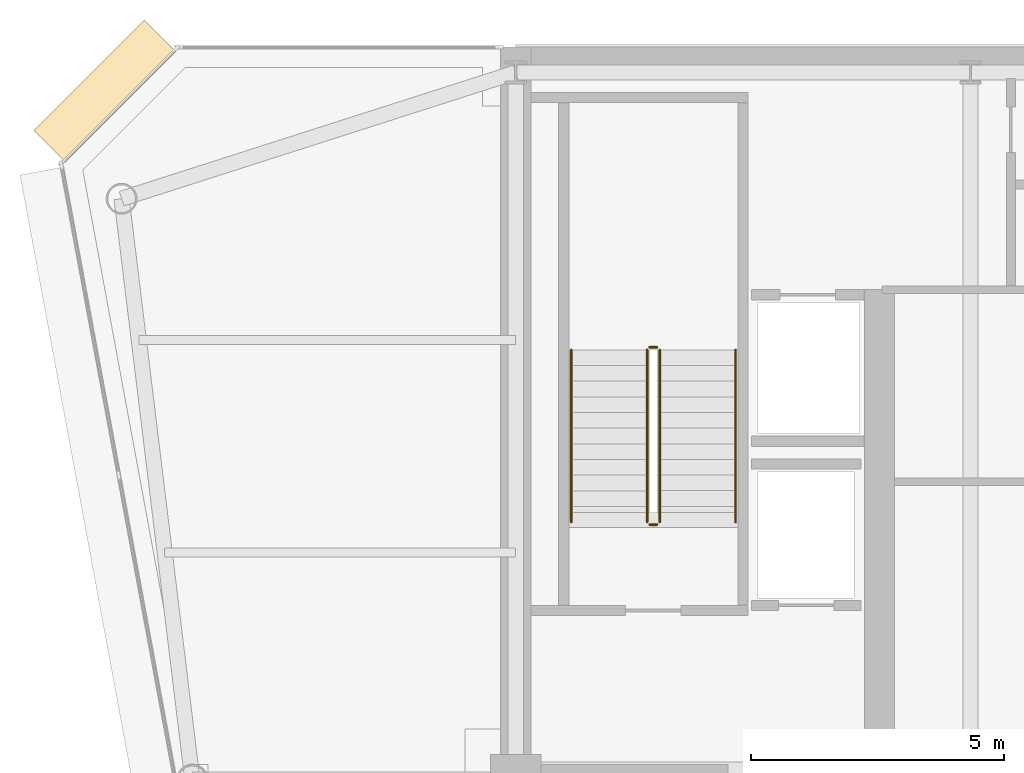
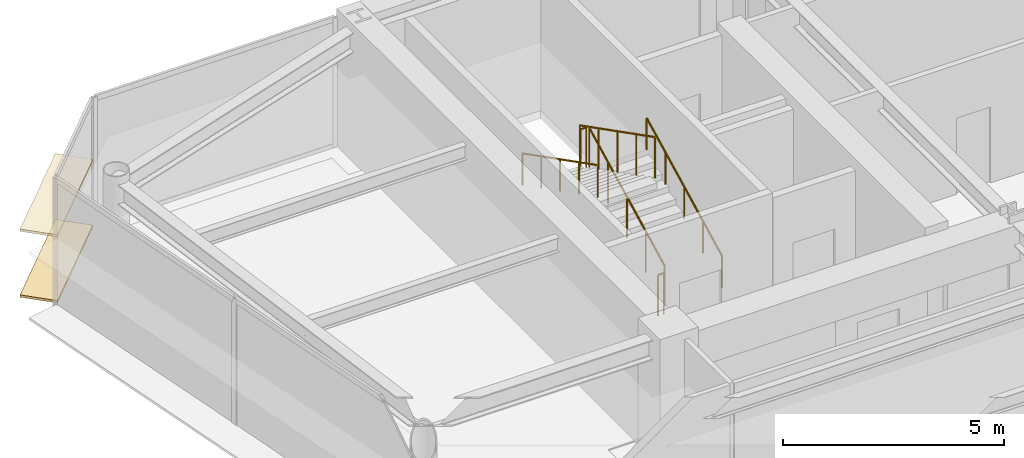
# One storey, part 15 of 17: 6 railings, 2 coverings.
"""IFC4 building model written with IfcOpenShell, lengths in metres."""

from ifc_helpers import new_model, si_unit, direction, frame, origin, origin_2d, place, context, subcontext, project, spatial, rectangle, circle, extrude, source, transform, mapped, material, layer, layer_set, type_object, element, save


model = new_model("IFC4")

# Units and contexts
model_context = context("Model", 3, precision=1e-05, world=origin(), true_north=direction((0.0, 1.0)))
body_context = subcontext(model_context, "Body", "Model", "MODEL_VIEW")
ifc_project = project(units=[si_unit("LENGTHUNIT", "METRE"), si_unit("AREAUNIT", "SQUARE_METRE"), si_unit("VOLUMEUNIT", "CUBIC_METRE"), si_unit("PLANEANGLEUNIT", "RADIAN"), si_unit("MASSUNIT", "GRAM", prefix="KILO")], contexts=[model_context])

# Site, building, storey
site_placement = place(None, origin())
site = spatial("IfcSite", under=ifc_project, at=site_placement, CompositionType="ELEMENT")
building_placement = place(site_placement, origin())
building = spatial("IfcBuilding", under=site, at=building_placement, Name="Vaeldorn Concourse Tower", CompositionType="ELEMENT")
storey_placement = place(building_placement, frame((0.0, 0.0, 230.800048828125)))
storey = spatial("IfcBuildingStorey", under=building, at=storey_placement, Name="L59", CompositionType="ELEMENT", Elevation=230.800048828125)

# Railings
ifc_material = material(Name="Anodised Bronze Aluminium", Category="aluminium")
railing_type_1 = type_object("IfcRailingType", Name="RL-STAIR-GUARD", PredefinedType="GUARDRAIL", material=ifc_material)
railing_1_placement = place(storey_placement, frame((16.85009765625, 41.60009765625, 0.158203125)))
element("IfcRailing", 1, at=railing_1_placement, inside=storey, type_object=railing_type_1, Name="L59 ST-1 stair guard 1", PredefinedType="GUARDRAIL", context=body_context, shape_type="SweptSolid", body=[
    extrude(circle(Radius=0.02392578125, at=origin_2d()), frame((0.0, 0.0, 1.1259765625), z_axis=(0.0, 0.890555807335, 0.454873997962), x_axis=(-1.0, 0.0, 0.0)), (0.0, 0.0, 1.0), 3.828857421875),
    extrude(circle(Radius=0.02099609375, at=origin_2d()), origin(), (0.0, 0.0, 1.0), 1.101806640625),
    extrude(circle(Radius=0.02099609375, at=origin_2d()), frame((0.0, 0.8525390625, 0.435546875)), (0.0, 0.0, 1.0), 1.101806640625),
    extrude(circle(Radius=0.02099609375, at=origin_2d()), frame((0.0, 1.705078125, 0.870849609375)), (0.0, 0.0, 1.0), 1.101806640625),
    extrude(circle(Radius=0.02099609375, at=origin_2d()), frame((0.0, 2.557373046875, 1.30615234375)), (0.0, 0.0, 1.0), 1.101806640625),
    extrude(circle(Radius=0.02099609375, at=origin_2d()), frame((0.0, 3.409912109375, 1.74169921875)), (0.0, 0.0, 1.0), 1.101806640625),
])
railing_2_placement = place(storey_placement, frame((16.800048828125, 45.06005859375, 1.89990234375)))
element("IfcRailing", 2, at=railing_2_placement, inside=storey, type_object=railing_type_1, Name="L59 ST-1 stair guard 2", PredefinedType="GUARDRAIL", context=body_context, shape_type="SweptSolid", body=[
    extrude(circle(Radius=0.02392578125, at=origin_2d()), frame((0.0, 0.0, 1.1259765625), z_axis=(-1.0, 0.0, 0.0), x_axis=(0.0, -1.0, 0.0)), (0.0, 0.0, 1.0), 0.150146484375),
    extrude(circle(Radius=0.02099609375, at=origin_2d()), origin(), (0.0, 0.0, 1.0), 1.101806640625),
    extrude(circle(Radius=0.02099609375, at=origin_2d()), frame((-0.150146484375, 0.0, 0.0)), (0.0, 0.0, 1.0), 1.101806640625),
])
railing_3_placement = place(storey_placement, frame((16.60009765625, 45.010009765625, 2.058349609375)))
element("IfcRailing", 3, at=railing_3_placement, inside=storey, type_object=railing_type_1, Name="L59 ST-1 stair guard 3", PredefinedType="GUARDRAIL", context=body_context, shape_type="SweptSolid", body=[
    extrude(circle(Radius=0.02392578125, at=origin_2d()), frame((0.0, 0.0, 1.1259765625), z_axis=(0.0, -0.890555807335, 0.454873997962), x_axis=(1.0, 0.0, 0.0)), (0.0, 0.0, 1.0), 3.828857421875),
    extrude(circle(Radius=0.02099609375, at=origin_2d()), origin(), (0.0, 0.0, 1.0), 1.101806640625),
    extrude(circle(Radius=0.02099609375, at=origin_2d()), frame((0.0, -0.8525390625, 0.435546875)), (0.0, 0.0, 1.0), 1.101806640625),
    extrude(circle(Radius=0.02099609375, at=origin_2d()), frame((0.0, -1.705078125, 0.870849609375)), (0.0, 0.0, 1.0), 1.101806640625),
    extrude(circle(Radius=0.02099609375, at=origin_2d()), frame((0.0, -2.557373046875, 1.30615234375)), (0.0, 0.0, 1.0), 1.101806640625),
    extrude(circle(Radius=0.02099609375, at=origin_2d()), frame((0.0, -3.409912109375, 1.74169921875)), (0.0, 0.0, 1.0), 1.101806640625),
])
railing_4_placement = place(storey_placement, frame((16.800048828125, 41.550048828125, 0.0)))
element("IfcRailing", 4, at=railing_4_placement, inside=storey, type_object=railing_type_1, Name="L59 ST-1 stair guard 4", PredefinedType="GUARDRAIL", context=body_context, shape_type="SweptSolid", body=[
    extrude(circle(Radius=0.02392578125, at=origin_2d()), frame((0.0, 0.0, 1.1259765625), z_axis=(-1.0, 0.0, 0.0), x_axis=(0.0, -1.0, 0.0)), (0.0, 0.0, 1.0), 0.150146484375),
    extrude(circle(Radius=0.02099609375, at=origin_2d()), origin(), (0.0, 0.0, 1.0), 1.101806640625),
    extrude(circle(Radius=0.02099609375, at=origin_2d()), frame((-0.150146484375, 0.0, 0.0)), (0.0, 0.0, 1.0), 1.101806640625),
])
railing_type_2 = type_object("IfcRailingType", Name="RL-STAIR-HANDRAIL", PredefinedType="HANDRAIL", material=ifc_material)
railing_5_placement = place(storey_placement, frame((18.35009765625, 41.60009765625, 0.158203125)))
element("IfcRailing", 5, at=railing_5_placement, inside=storey, type_object=railing_type_2, Name="L59 ST-1 stair handrail 1", PredefinedType="HANDRAIL", context=body_context, shape_type="SweptSolid", body=[
    extrude(circle(Radius=0.02392578125, at=origin_2d()), frame((0.0, 0.0, 0.8759765625), z_axis=(0.0, 0.890555807335, 0.454873997962), x_axis=(-1.0, 0.0, 0.0)), (0.0, 0.0, 1.0), 3.828857421875),
    extrude(circle(Radius=0.02099609375, at=origin_2d()), origin(), (0.0, 0.0, 1.0), 0.851806640625),
    extrude(circle(Radius=0.02099609375, at=origin_2d()), frame((0.0, 0.8525390625, 0.435546875)), (0.0, 0.0, 1.0), 0.851806640625),
    extrude(circle(Radius=0.02099609375, at=origin_2d()), frame((0.0, 1.705078125, 0.870849609375)), (0.0, 0.0, 1.0), 0.851806640625),
    extrude(circle(Radius=0.02099609375, at=origin_2d()), frame((0.0, 2.557373046875, 1.30615234375)), (0.0, 0.0, 1.0), 0.851806640625),
    extrude(circle(Radius=0.02099609375, at=origin_2d()), frame((0.0, 3.409912109375, 1.74169921875)), (0.0, 0.0, 1.0), 0.851806640625),
])
railing_6_placement = place(storey_placement, frame((15.10009765625, 45.010009765625, 2.058349609375)))
element("IfcRailing", 6, at=railing_6_placement, inside=storey, type_object=railing_type_2, Name="L59 ST-1 stair handrail 2", PredefinedType="HANDRAIL", context=body_context, shape_type="SweptSolid", body=[
    extrude(circle(Radius=0.02392578125, at=origin_2d()), frame((0.0, 0.0, 0.8759765625), z_axis=(0.0, -0.890555807335, 0.454873997962), x_axis=(1.0, 0.0, 0.0)), (0.0, 0.0, 1.0), 3.828857421875),
    extrude(circle(Radius=0.02099609375, at=origin_2d()), origin(), (0.0, 0.0, 1.0), 0.851806640625),
    extrude(circle(Radius=0.02099609375, at=origin_2d()), frame((0.0, -0.8525390625, 0.435546875)), (0.0, 0.0, 1.0), 0.851806640625),
    extrude(circle(Radius=0.02099609375, at=origin_2d()), frame((0.0, -1.705078125, 0.870849609375)), (0.0, 0.0, 1.0), 0.851806640625),
    extrude(circle(Radius=0.02099609375, at=origin_2d()), frame((0.0, -2.557373046875, 1.30615234375)), (0.0, 0.0, 1.0), 0.851806640625),
    extrude(circle(Radius=0.02099609375, at=origin_2d()), frame((0.0, -3.409912109375, 1.74169921875)), (0.0, 0.0, 1.0), 0.851806640625),
])

# Coverings
ifc_layer = layer(ifc_material, 0.06494140625)
ifc_layer_set = layer_set([ifc_layer], Name="Anodised Bronze Aluminium")
covering_type = type_object("IfcCoveringType", Name="SD-BRONZE-SUNSHADE", PredefinedType="USERDEFINED", material=ifc_layer_set)
shared_shape = source(origin(), body_context, "Body", "SweptSolid", [
    extrude(rectangle(XDim=3.0927734375, YDim=0.8798828125, at=origin_2d()), origin(), (0.0, 0.0, 1.0), 0.06494140625),
])
for number, where, z_axis, x_axis, name in (
    (7, (5.8671875, 50.1328125, 0.04736328125), (0.0, 0.0, 1.0), (-0.707106781187, -0.707106781187, 0.0), "Horizontal Bronze Sunshade L59-E10.1.1"),
    (8, (5.8671875, 50.1328125, 1.867431640625), (0.0, 0.0, 1.0), (-0.707106781187, -0.707106781187, 0.0), "Horizontal Bronze Sunshade L59-E10.1.2"),
):
    element("IfcCovering", number, at=place(storey_placement, frame(where, z_axis=z_axis, x_axis=x_axis)), inside=storey, type_object=covering_type, Name=name, ObjectType="SUNSHADE", PredefinedType="USERDEFINED", context=body_context, shape_type="MappedRepresentation", body=[
        mapped(shared_shape, transform((0.0, 0.0, 0.0), scale=1.0)),
    ])

save(model, "model.ifc")
